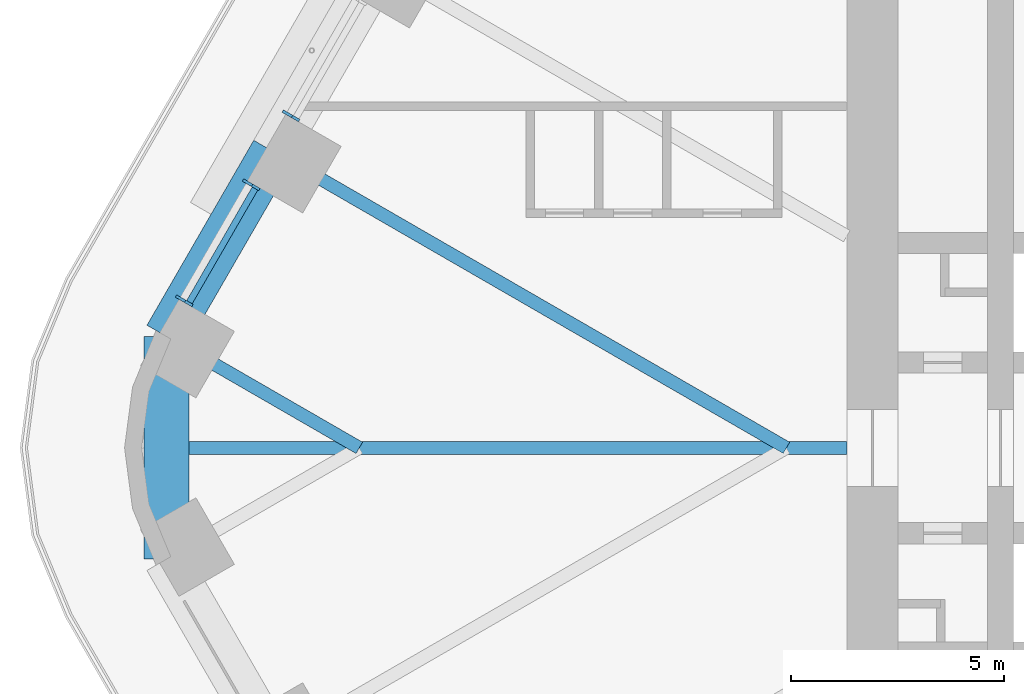
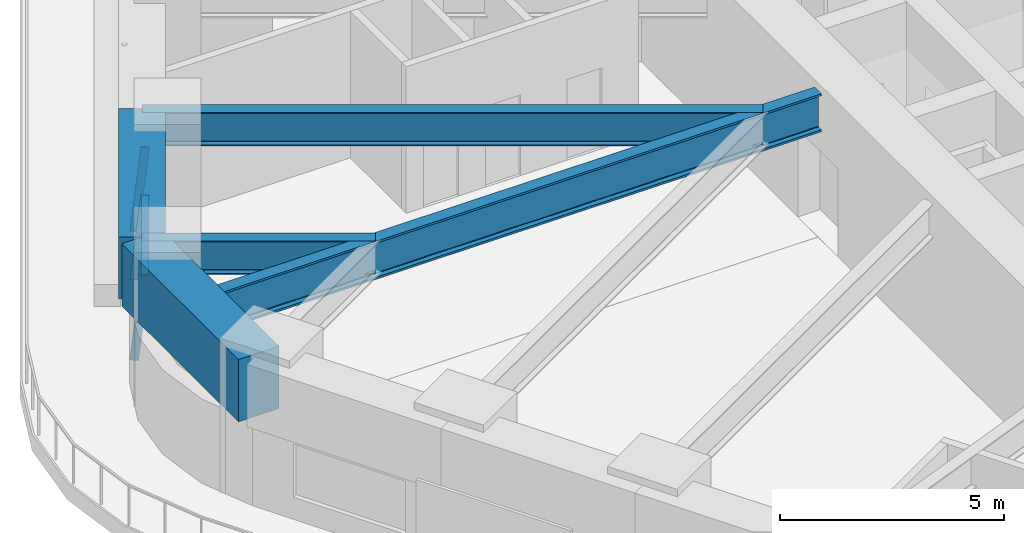
# One storey, part 6 of 24: 5 beams, 4 members, 2 elements without a shape of their own.
"""IFC4 building model written with IfcOpenShell, lengths in metres."""

from ifc_helpers import new_model, si_unit, direction, frame, origin, origin_2d, place, context, subcontext, project, spatial, rectangle, i_section, extrude, material, material_profile, profile_set, type_object, element, aggregate, save


model = new_model("IFC4")

# Units and contexts
model_context = context("Model", 3, precision=1e-05, world=origin(), true_north=direction((0.0, 1.0)))
body_context = subcontext(model_context, "Body", "Model", "MODEL_VIEW")
ifc_project = project(units=[si_unit("LENGTHUNIT", "METRE"), si_unit("AREAUNIT", "SQUARE_METRE"), si_unit("VOLUMEUNIT", "CUBIC_METRE"), si_unit("PLANEANGLEUNIT", "RADIAN"), si_unit("MASSUNIT", "GRAM", prefix="KILO")], contexts=[model_context])

# Site, building, storey
site_placement = place(None, origin())
site = spatial("IfcSite", under=ifc_project, at=site_placement, CompositionType="ELEMENT")
building_placement = place(site_placement, origin())
building = spatial("IfcBuilding", under=site, at=building_placement, Name="Tarfa Lantern Tower", CompositionType="ELEMENT")
storey_placement = place(building_placement, frame((0.0, 0.0, 127.89990234375)))
storey = spatial("IfcBuildingStorey", under=building, at=storey_placement, Name="L28", CompositionType="ELEMENT", Elevation=127.89990234375)

# Curtain wall, member
ifc_material_1 = material(Name="Aluminium framed curtain wall", Category="aluminium")
curtain_wall_type = type_object("IfcCurtainWallType", Name="CW2 CANTED GLAZING MID ZONE 2300", PredefinedType="USERDEFINED", material=ifc_material_1)
curtain_wall_1_placement = place(storey_placement, origin())
curtain_wall_1 = element("IfcCurtainWall", 1, at=curtain_wall_1_placement, inside=storey, type_object=curtain_wall_type, Name="CW2 NWB L28", ObjectType="CURTAIN WALL", PredefinedType="USERDEFINED")
ifc_material_2 = material(Name="Aluminium mullion", Category="aluminium")
ifc_material_profile_1 = material_profile(ifc_material_2, rectangle(XDim=0.06494140625, YDim=0.199951171875, at=origin_2d()), Name="AL MULLION 65x200")
ifc_profile_set_1 = profile_set([ifc_material_profile_1], Name="Aluminium mullion")
member_type_1 = type_object("IfcMemberType", Name="CWM1 MULLION 65x200", PredefinedType="MULLION", material=ifc_profile_set_1)
member_1_placement = place(storey_placement, frame((-31.730712890625, 7.8408203125, 0.0), z_axis=(0.093599904765, -0.0540283554, 0.994142844183), x_axis=(0.499919672301, 0.866071776036, 0.0)))
member_1 = element("IfcMember", 2, at=member_1_placement, type_object=member_type_1, Name="CW2 mullion 2", PredefinedType="MULLION", context=body_context, shape_type="SweptSolid", body=[
    extrude(rectangle(XDim=0.06494140625, YDim=0.199951171875, at=origin_2d()), origin(), (0.0, 0.0, 1.0), 2.313720703125),
])
aggregate(curtain_wall_1, [member_1])

# Curtain wall, members
curtain_wall_2_placement = place(storey_placement, origin())
curtain_wall_2 = element("IfcCurtainWall", 3, at=curtain_wall_2_placement, inside=storey, type_object=curtain_wall_type, Name="CW2 NWB L28", ObjectType="CURTAIN WALL", PredefinedType="USERDEFINED")
member_2_placement = place(storey_placement, frame((-32.6630859375, 6.225830078125, 0.0), z_axis=(0.093599904765, -0.0540283554, 0.994142844183), x_axis=(0.499919672301, 0.866071776036, 0.0)))
member_2 = element("IfcMember", 4, at=member_2_placement, type_object=member_type_1, Name="CW2 mullion 1", PredefinedType="MULLION", context=body_context, shape_type="SweptSolid", body=[
    extrude(rectangle(XDim=0.06494140625, YDim=0.199951171875, at=origin_2d()), origin(), (0.0, 0.0, 1.0), 2.313720703125),
])
member_3_placement = place(storey_placement, frame((-34.232421875, 3.507568359375, 0.0), z_axis=(0.093495303575, -0.054028888748, 0.994152657991), x_axis=(0.500342721131, 0.865827443207, 0.0)))
member_3 = element("IfcMember", 5, at=member_3_placement, type_object=member_type_1, Name="CW2 mullion 2", PredefinedType="MULLION", context=body_context, shape_type="SweptSolid", body=[
    extrude(rectangle(XDim=0.06494140625, YDim=0.199951171875, at=origin_2d()), origin(), (0.0, 0.0, 1.0), 2.3134765625),
])
ifc_material_3 = material(Name="Aluminium transom", Category="aluminium")
ifc_material_profile_2 = material_profile(ifc_material_3, rectangle(XDim=0.14990234375, YDim=0.06494140625, at=origin_2d()), Name="AL TRANSOM 150x65")
ifc_profile_set_2 = profile_set([ifc_material_profile_2], Name="Aluminium transom")
member_type_2 = type_object("IfcMemberType", Name="CWT1 TRANSOM 150x65", PredefinedType="USERDEFINED", material=ifc_profile_set_2)
member_4_placement = place(storey_placement, frame((-32.466064453125, 6.074462890625, 2.267578125), z_axis=(-0.499949361699, -0.866054637847, 0.0), x_axis=(0.866054637847, -0.499949361699, 0.0)))
member_4 = element("IfcMember", 6, at=member_4_placement, type_object=member_type_2, Name="CW2 transom 1.2", ObjectType="TRANSOM", PredefinedType="USERDEFINED", context=body_context, shape_type="SweptSolid", body=[
    extrude(rectangle(XDim=0.14990234375, YDim=0.06494140625, at=origin_2d()), origin(), (0.0, 0.0, 1.0), 3.073486328125),
])
aggregate(curtain_wall_2, [member_2, member_3, member_4])

# Beams
ifc_material_4 = material(Name="Concrete C80/95", Category="concrete")
ifc_material_profile_3 = material_profile(ifc_material_4, rectangle(XDim=1.050048828125, YDim=1.699951171875, at=origin_2d()), Name="RC 1050x1700")
ifc_profile_set_3 = profile_set([ifc_material_profile_3], Name="Concrete C80/95")
beam_type_1 = type_object("IfcBeamType", Name="RB2 RC 1050x1700", PredefinedType="BEAM", material=ifc_profile_set_3)
beam_1_placement = place(storey_placement, frame((-32.041015625, 6.943359375, 3.150146484375), z_axis=(-0.500022324899, -0.866012514114, 0.0), x_axis=(0.866012514114, -0.500022324899, 0.0)))
element("IfcBeam", 7, at=beam_1_placement, inside=storey, type_object=beam_type_1, Name="Edge beam NW5", PredefinedType="BEAM", context=body_context, shape_type="SweptSolid", body=[
    extrude(rectangle(XDim=1.050048828125, YDim=1.699951171875, at=origin_2d()), origin(), (0.0, 0.0, 1.0), 5.003662109375),
])
beam_2_placement = place(storey_placement, frame((-34.54296875, 2.610107421875, 3.150146484375), z_axis=(0.0, -1.0, 0.0), x_axis=(1.0, 0.0, 0.0)))
element("IfcBeam", 8, at=beam_2_placement, inside=storey, type_object=beam_type_1, Name="Edge beam NW6", PredefinedType="BEAM", context=body_context, shape_type="SweptSolid", body=[
    extrude(rectangle(XDim=1.050048828125, YDim=1.699951171875, at=origin_2d()), origin(), (0.0, 0.0, 1.0), 5.22021484375),
])
ifc_material_5 = material(Name="Steel S460M", Category="steel")
ifc_material_profile_4 = material_profile(ifc_material_5, i_section(OverallWidth=0.30859375, OverallDepth=1.036376953125, WebThickness=0.030029296875, FlangeThickness=0.05419921875, FilletRadius=0.030029296875, at=origin_2d()), Name="UB1016x305x487")
ifc_profile_set_4 = profile_set([ifc_material_profile_4], Name="Steel S460M")
beam_type_2 = type_object("IfcBeamType", Name="UB1016x305x487", PredefinedType="BEAM", material=ifc_profile_set_4)
beam_3_placement = place(storey_placement, frame((-18.60009765625, 0.0, 3.48193359375), z_axis=(-1.0, 0.0, 0.0), x_axis=(0.0, -1.0, 0.0)))
element("IfcBeam", 9, at=beam_3_placement, inside=storey, type_object=beam_type_2, Name="Hip girder W", PredefinedType="BEAM", context=body_context, shape_type="SweptSolid", body=[
    extrude(i_section(OverallWidth=0.30859375, OverallDepth=1.036376953125, WebThickness=0.030029296875, FlangeThickness=0.05419921875, FilletRadius=0.030029296875, at=origin_2d()), origin(), (0.0, 0.0, 1.0), 15.94287109375),
])
ifc_material_profile_5 = material_profile(ifc_material_5, i_section(OverallWidth=0.305419921875, OverallDepth=0.91845703125, WebThickness=0.017333984375, FlangeThickness=0.02783203125, FilletRadius=0.01904296875, at=origin_2d()), Name="UB914x305x253")
ifc_profile_set_5 = profile_set([ifc_material_profile_5], Name="Steel S460M")
beam_type_3 = type_object("IfcBeamType", Name="UB914x305x253", PredefinedType="BEAM", material=ifc_profile_set_5)
beam_4_placement = place(storey_placement, frame((-32.041015625, 6.943359375, 3.541015625), z_axis=(0.866023096411, -0.500003996466, 0.0), x_axis=(0.500003996466, 0.866023096411, 0.0)))
element("IfcBeam", 10, at=beam_4_placement, inside=storey, type_object=beam_type_3, Name="Floor beam NW5", PredefinedType="BEAM", context=body_context, shape_type="SweptSolid", body=[
    extrude(i_section(OverallWidth=0.305419921875, OverallDepth=0.91845703125, WebThickness=0.017333984375, FlangeThickness=0.02783203125, FilletRadius=0.01904296875, at=origin_2d()), origin(), (0.0, 0.0, 1.0), 13.88671875),
])
beam_5_placement = place(storey_placement, frame((-34.54296875, 2.610107421875, 3.541015625), z_axis=(0.866021250859, -0.500007193008, 0.0), x_axis=(0.500007193008, 0.866021250859, 0.0)))
element("IfcBeam", 11, at=beam_5_placement, inside=storey, type_object=beam_type_3, Name="Floor beam NW6", PredefinedType="BEAM", context=body_context, shape_type="SweptSolid", body=[
    extrude(i_section(OverallWidth=0.305419921875, OverallDepth=0.91845703125, WebThickness=0.017333984375, FlangeThickness=0.02783203125, FilletRadius=0.01904296875, at=origin_2d()), origin(), (0.0, 0.0, 1.0), 5.22021484375),
])

save(model, "model.ifc")
